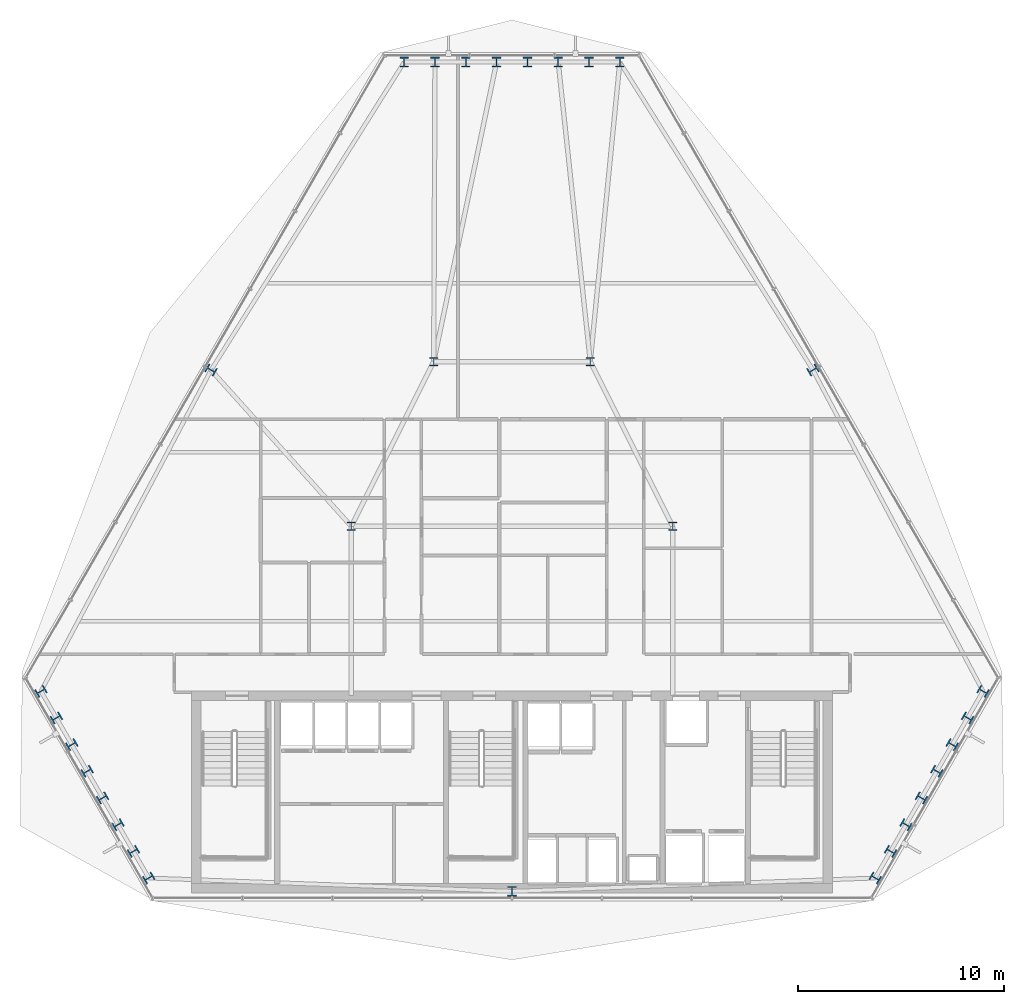
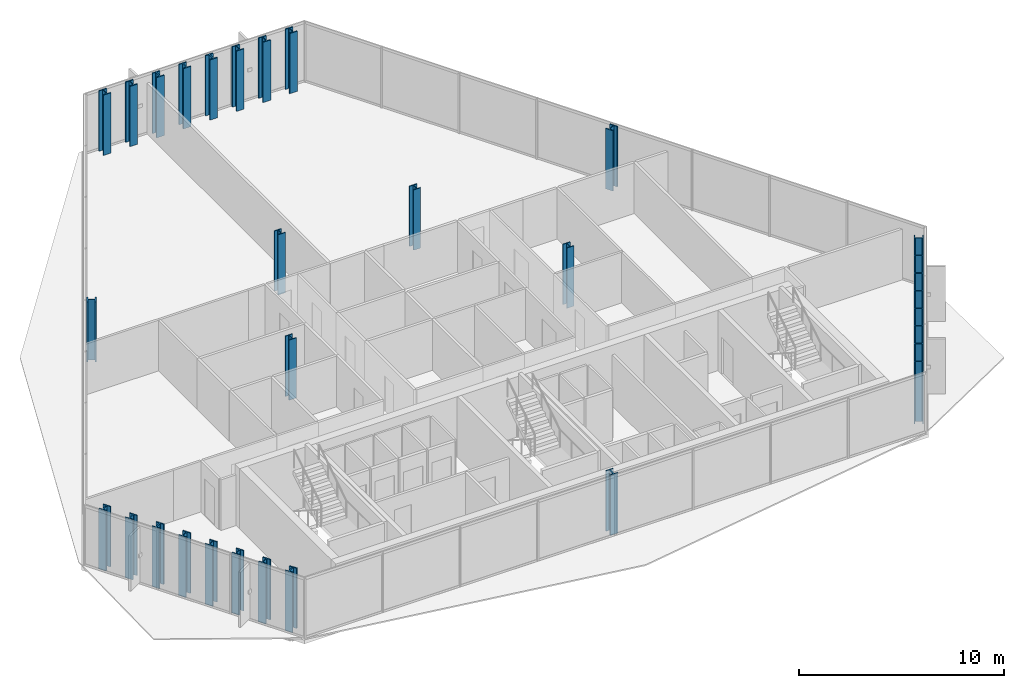
# One storey, part 1 of 36: 31 columns.
"""IFC4 building model written with IfcOpenShell, lengths in metres."""

from ifc_helpers import new_model, si_unit, direction, frame, origin, origin_2d, place, context, subcontext, project, spatial, i_section, extrude, material, material_profile, profile_set, type_object, element, save


model = new_model("IFC4")

# Units and contexts
model_context = context("Model", 3, precision=1e-05, world=origin(), true_north=direction((0.0, 1.0)))
body_context = subcontext(model_context, "Body", "Model", "MODEL_VIEW")
ifc_project = project(units=[si_unit("LENGTHUNIT", "METRE"), si_unit("AREAUNIT", "SQUARE_METRE"), si_unit("VOLUMEUNIT", "CUBIC_METRE"), si_unit("PLANEANGLEUNIT", "RADIAN"), si_unit("MASSUNIT", "GRAM", prefix="KILO")], contexts=[model_context])

# Site, building, storey
site_placement = place(None, origin())
site = spatial("IfcSite", under=ifc_project, at=site_placement, CompositionType="ELEMENT")
building_placement = place(site_placement, origin())
building = spatial("IfcBuilding", under=site, at=building_placement, Name="Ndaravel Arena Tower", CompositionType="ELEMENT")
storey_placement = place(building_placement, frame((0.0, 0.0, 127.0)))
storey = spatial("IfcBuildingStorey", under=building, at=storey_placement, Name="L29", CompositionType="ELEMENT", Elevation=127.0)

# Columns
ifc_material_1 = material(Name="Steel S355", Category="steel")
ifc_material_profile_1 = material_profile(ifc_material_1, i_section(OverallWidth=0.406982421875, OverallDepth=0.4189453125, WebThickness=0.030517578125, FlangeThickness=0.04931640625, FilletRadius=0.01513671875, at=origin_2d()), Name="UC 356x406x393")
ifc_profile_set_1 = profile_set([ifc_material_profile_1], Name="Steel S355")
column_type_1 = type_object("IfcColumnType", Name="COL-INT-UC393", PredefinedType="COLUMN", material=ifc_profile_set_1)
for number, where, z_axis, x_axis, name in (
    (1, (34.199951171875, 23.199951171875, 0.0), (0.0, 0.0, 1.0), (1.0, 0.0, 0.0), "L29 Interior Spine Column IC-01"),
    (2, (49.800048828125, 23.199951171875, 0.0), (0.0, 0.0, 1.0), (1.0, 0.0, 0.0), "L29 Interior Spine Column IC-02"),
    (3, (38.199951171875, 31.199951171875, 0.0), (0.0, 0.0, 1.0), (1.0, 0.0, 0.0), "L29 Interior Spine Column IC-03"),
    (4, (45.800048828125, 31.199951171875, 0.0), (0.0, 0.0, 1.0), (1.0, 0.0, 0.0), "L29 Interior Spine Column IC-04"),
):
    element("IfcColumn", number, at=place(storey_placement, frame(where, z_axis=z_axis, x_axis=x_axis)), inside=storey, type_object=column_type_1, Name=name, PredefinedType="COLUMN", context=body_context, shape_type="SweptSolid", body=[
        extrude(i_section(OverallWidth=0.406982421875, OverallDepth=0.4189453125, WebThickness=0.030517578125, FlangeThickness=0.04931640625, FilletRadius=0.01513671875, at=origin_2d()), origin(), (0.0, 0.0, 1.0), 3.580078125),
    ])
ifc_material_2 = material(Name="Steel S355", Category="steel")
ifc_material_profile_2 = material_profile(ifc_material_2, i_section(OverallWidth=0.427978515625, OverallDepth=0.48095703125, WebThickness=0.051025390625, FlangeThickness=0.06494140625, FilletRadius=0.014892578125, at=origin_2d()), Name="HD 400x677")
ifc_profile_set_2 = profile_set([ifc_material_profile_2], Name="Steel S355")
column_type_2 = type_object("IfcColumnType", Name="COL-TUBE-HD677", PredefinedType="COLUMN", material=ifc_profile_set_2)
for number, where, z_axis, x_axis, name in (
    (5, (42.0, 5.47998046875, 0.0), (0.0, 0.0, 1.0), (1.0, 0.0, 0.0), "L29 Framed Tube Column TC-01"),
    (6, (59.6337890625, 6.127685546875, 0.0), (0.0, 0.0, 1.0), (0.5, 0.866025403784, 0.0), "L29 Framed Tube Column TC-02"),
    (7, (60.381591796875, 7.422607421875, 0.0), (0.0, 0.0, 1.0), (0.5, 0.866025403784, 0.0), "L29 Framed Tube Column TC-03"),
    (8, (61.129150390625, 8.7177734375, 0.0), (0.0, 0.0, 1.0), (0.5, 0.866025403784, 0.0), "L29 Framed Tube Column TC-04"),
    (9, (61.876953125, 10.012939453125, 0.0), (0.0, 0.0, 1.0), (0.5, 0.866025403784, 0.0), "L29 Framed Tube Column TC-05"),
    (10, (62.624755859375, 11.30810546875, 0.0), (0.0, 0.0, 1.0), (0.5, 0.866025403784, 0.0), "L29 Framed Tube Column TC-06"),
    (11, (63.37255859375, 12.603271484375, 0.0), (0.0, 0.0, 1.0), (0.5, 0.866025403784, 0.0), "L29 Framed Tube Column TC-07"),
    (12, (64.1201171875, 13.8984375, 0.0), (0.0, 0.0, 1.0), (0.5, 0.866025403784, 0.0), "L29 Framed Tube Column TC-08"),
    (13, (64.867919921875, 15.193603515625, 0.0), (0.0, 0.0, 1.0), (0.5, 0.866025403784, 0.0), "L29 Framed Tube Column TC-09"),
    (14, (56.61181640625, 30.78857421875, 0.0), (0.0, 0.0, 1.0), (-0.5, 0.866025403784, 0.0), "L29 Framed Tube Column TC-10"),
    (15, (47.234375, 45.736083984375, 0.0), (0.0, 0.0, 1.0), (1.0, 0.0, 0.0), "L29 Framed Tube Column TC-11"),
    (16, (45.73876953125, 45.736083984375, 0.0), (0.0, 0.0, 1.0), (1.0, 0.0, 0.0), "L29 Framed Tube Column TC-12"),
    (17, (44.243408203125, 45.736083984375, 0.0), (0.0, 0.0, 1.0), (1.0, 0.0, 0.0), "L29 Framed Tube Column TC-13"),
    (18, (42.747802734375, 45.736083984375, 0.0), (0.0, 0.0, 1.0), (1.0, 0.0, 0.0), "L29 Framed Tube Column TC-14"),
    (19, (41.252197265625, 45.736083984375, 0.0), (0.0, 0.0, 1.0), (1.0, 0.0, 0.0), "L29 Framed Tube Column TC-15"),
    (20, (39.756591796875, 45.736083984375, 0.0), (0.0, 0.0, 1.0), (1.0, 0.0, 0.0), "L29 Framed Tube Column TC-16"),
    (21, (38.26123046875, 45.736083984375, 0.0), (0.0, 0.0, 1.0), (1.0, 0.0, 0.0), "L29 Framed Tube Column TC-17"),
    (22, (36.765625, 45.736083984375, 0.0), (0.0, 0.0, 1.0), (1.0, 0.0, 0.0), "L29 Framed Tube Column TC-18"),
    (23, (27.38818359375, 30.78857421875, 0.0), (0.0, 0.0, 1.0), (0.5, 0.866025403784, 0.0), "L29 Framed Tube Column TC-19"),
    (24, (19.132080078125, 15.193603515625, 0.0), (0.0, 0.0, 1.0), (-0.5, 0.866025403784, 0.0), "L29 Framed Tube Column TC-20"),
    (25, (19.8798828125, 13.8984375, 0.0), (0.0, 0.0, 1.0), (-0.5, 0.866025403784, 0.0), "L29 Framed Tube Column TC-21"),
    (26, (20.62744140625, 12.603271484375, 0.0), (0.0, 0.0, 1.0), (-0.5, 0.866025403784, 0.0), "L29 Framed Tube Column TC-22"),
    (27, (21.375244140625, 11.30810546875, 0.0), (0.0, 0.0, 1.0), (-0.5, 0.866025403784, 0.0), "L29 Framed Tube Column TC-23"),
    (28, (22.123046875, 10.012939453125, 0.0), (0.0, 0.0, 1.0), (-0.5, 0.866025403784, 0.0), "L29 Framed Tube Column TC-24"),
    (29, (22.870849609375, 8.7177734375, 0.0), (0.0, 0.0, 1.0), (-0.5, 0.866025403784, 0.0), "L29 Framed Tube Column TC-25"),
    (30, (23.618408203125, 7.422607421875, 0.0), (0.0, 0.0, 1.0), (-0.5, 0.866025403784, 0.0), "L29 Framed Tube Column TC-26"),
    (31, (24.3662109375, 6.127685546875, 0.0), (0.0, 0.0, 1.0), (-0.5, 0.866025403784, 0.0), "L29 Framed Tube Column TC-27"),
):
    element("IfcColumn", number, at=place(storey_placement, frame(where, z_axis=z_axis, x_axis=x_axis)), inside=storey, type_object=column_type_2, Name=name, PredefinedType="COLUMN", context=body_context, shape_type="SweptSolid", body=[
        extrude(i_section(OverallWidth=0.427978515625, OverallDepth=0.48095703125, WebThickness=0.051025390625, FlangeThickness=0.06494140625, FilletRadius=0.014892578125, at=origin_2d()), origin(), (0.0, 0.0, 1.0), 3.580078125),
    ])

save(model, "model.ifc")
